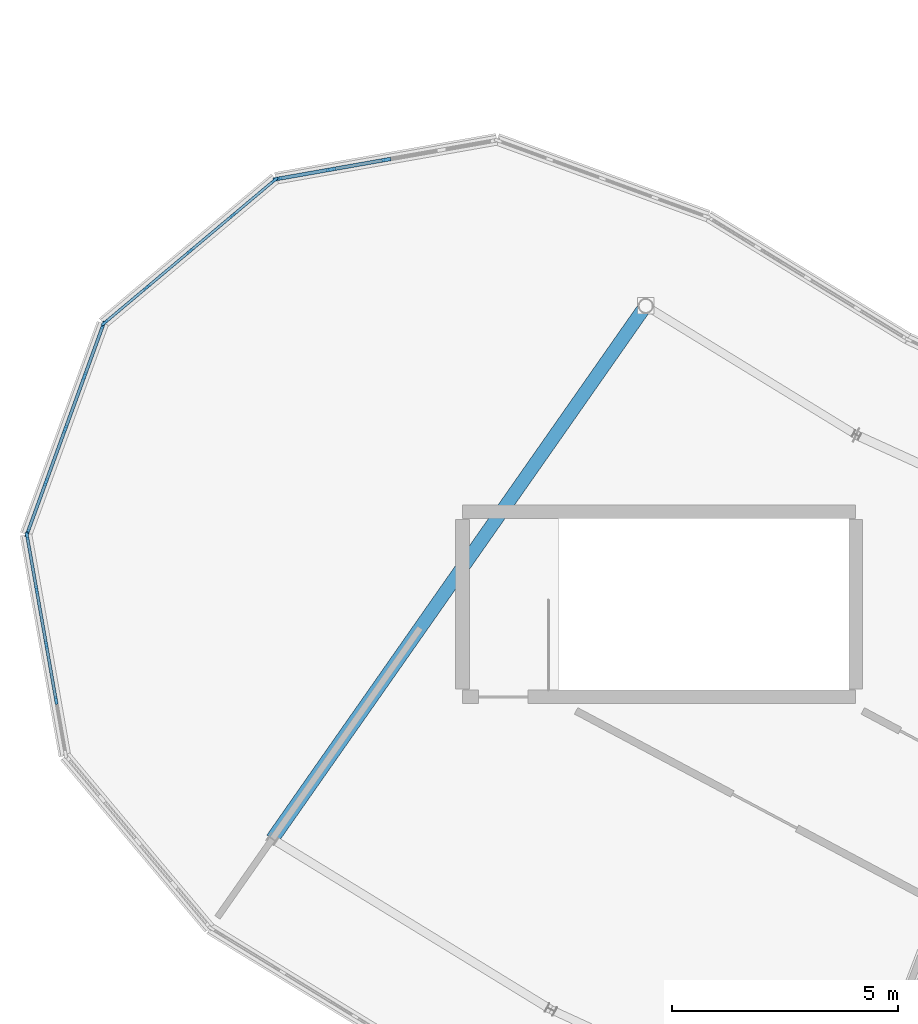
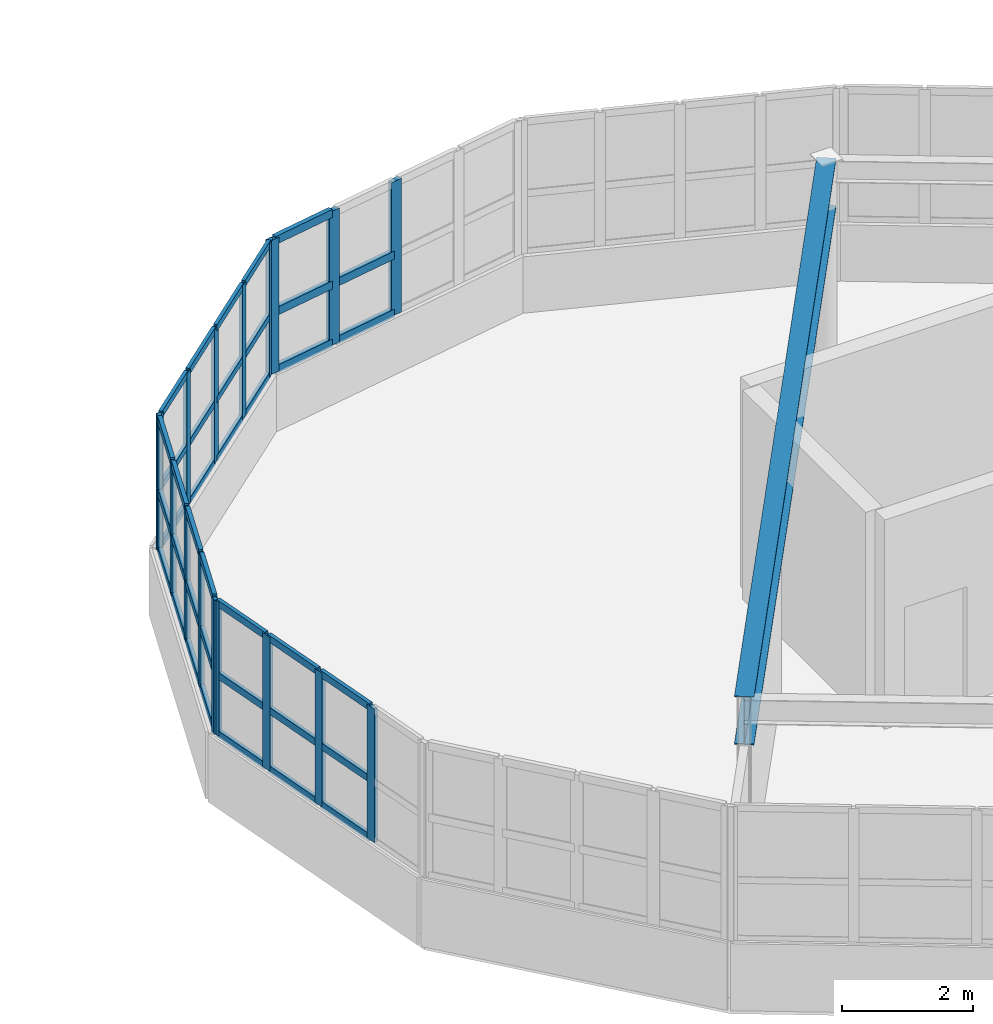
# One storey, part 16 of 60: 55 members, 1 beam, 4 elements without a shape of their own.
"""IFC4 building model written with IfcOpenShell, lengths in metres."""

from ifc_helpers import new_model, si_unit, direction, frame, origin, origin_2d, place, context, subcontext, project, spatial, rectangle, i_section, extrude, material, layer, layer_set, material_profile, profile_set, type_object, element, aggregate, save


model = new_model("IFC4")

# Units and contexts
model_context = context("Model", 3, precision=1e-05, world=origin(), true_north=direction((0.0, 1.0)))
body_context = subcontext(model_context, "Body", "Model", "MODEL_VIEW")
ifc_project = project(units=[si_unit("LENGTHUNIT", "METRE"), si_unit("AREAUNIT", "SQUARE_METRE"), si_unit("VOLUMEUNIT", "CUBIC_METRE"), si_unit("PLANEANGLEUNIT", "RADIAN"), si_unit("MASSUNIT", "GRAM", prefix="KILO")], contexts=[model_context])

# Site, building, storey
site_placement = place(None, origin())
site = spatial("IfcSite", under=ifc_project, at=site_placement, CompositionType="ELEMENT")
building_placement = place(site_placement, origin())
building = spatial("IfcBuilding", under=site, at=building_placement, Name="Tarnwether General Hospital", CompositionType="ELEMENT")
storey_placement = place(building_placement, frame((0.0, 0.0, 26.10009765625)))
storey = spatial("IfcBuildingStorey", under=building, at=storey_placement, Name="L06", CompositionType="ELEMENT", Elevation=26.10009765625)

# Beam
ifc_material_1 = material(Name="Steel Grade 350 (350 MPa)", Category="steel")
ifc_material_profile_1 = material_profile(ifc_material_1, i_section(OverallWidth=0.300048828125, OverallDepth=0.89990234375, WebThickness=0.011962890625, FlangeThickness=0.02001953125, at=origin_2d()), Name="900WB175")
ifc_profile_set_1 = profile_set([ifc_material_profile_1], Name="Steel Grade 350 (350 MPa)")
beam_type = type_object("IfcBeamType", Name="BM-G01", PredefinedType="BEAM", material=ifc_profile_set_1)
beam_placement = place(storey_placement, frame((58.0439453125, 14.506103515625, 3.449951171875), z_axis=(0.573596601347, 0.819137924237, 0.0), x_axis=(-0.819137924237, 0.573596601347, 0.0)))
element("IfcBeam", 1, at=beam_placement, inside=storey, type_object=beam_type, Name="Curved Ward SE Radial Girder BMG-L06-5804_1451-6630_2630-2192", PredefinedType="BEAM", context=body_context, shape_type="SweptSolid", body=[
    extrude(i_section(OverallWidth=0.300048828125, OverallDepth=0.89990234375, WebThickness=0.011962890625, FlangeThickness=0.02001953125, at=origin_2d()), origin(), (0.0, 0.0, 1.0), 14.400390625),
])

# Curtain wall, members
ifc_material_2 = material(Name="Anodised aluminium", Category="aluminium")
ifc_layer = layer(ifc_material_2, 0.159912109375)
ifc_layer_set = layer_set([ifc_layer], Name="Anodised aluminium")
curtain_wall_type = type_object("IfcCurtainWallType", Name="CW-03", PredefinedType="NOTDEFINED", material=ifc_layer_set)
curtain_wall_1_placement = place(storey_placement, origin())
curtain_wall_1 = element("IfcCurtainWall", 2, at=curtain_wall_1_placement, inside=storey, type_object=curtain_wall_type, Name="Curtain Wall CWG-L06-543_259-0269", PredefinedType="NOTDEFINED")
ifc_material_3 = material(Name="Anodised aluminium", Category="aluminium")
ifc_material_profile_2 = material_profile(ifc_material_3, rectangle(XDim=0.06005859375, YDim=0.159912109375, at=origin_2d()), Name="ALU-MUL-60x160")
ifc_profile_set_2 = profile_set([ifc_material_profile_2], Name="Anodised aluminium")
member_type_1 = type_object("IfcMemberType", Name="CW-ML1", PredefinedType="MULLION", material=ifc_profile_set_2)
member_1_placement = place(storey_placement, frame((54.3330078125, 25.92919921875, 1.0498046875), z_axis=(0.0, 0.0, 1.0), x_axis=(-0.64285227611, 0.765990176896, 0.0)))
member_1 = element("IfcMember", 3, at=member_1_placement, type_object=member_type_1, Name="CW-03 mullion 1", PredefinedType="MULLION", context=body_context, shape_type="SweptSolid", body=[
    extrude(rectangle(XDim=0.06005859375, YDim=0.159912109375, at=origin_2d()), origin(), (0.0, 0.0, 1.0), 2.4951171875),
])
member_2_placement = place(storey_placement, frame((55.26171875, 26.708740234375, 1.0498046875), z_axis=(0.0, 0.0, 1.0), x_axis=(-0.64285227611, 0.765990176896, 0.0)))
member_2 = element("IfcMember", 4, at=member_2_placement, type_object=member_type_1, Name="CW-03 mullion 2", PredefinedType="MULLION", context=body_context, shape_type="SweptSolid", body=[
    extrude(rectangle(XDim=0.06005859375, YDim=0.159912109375, at=origin_2d()), origin(), (0.0, 0.0, 1.0), 2.4951171875),
])
member_3_placement = place(storey_placement, frame((56.21337890625, 27.507568359375, 1.0498046875), z_axis=(0.0, 0.0, 1.0), x_axis=(-0.64285227611, 0.765990176896, 0.0)))
member_3 = element("IfcMember", 5, at=member_3_placement, type_object=member_type_1, Name="CW-03 mullion 3", PredefinedType="MULLION", context=body_context, shape_type="SweptSolid", body=[
    extrude(rectangle(XDim=0.06005859375, YDim=0.159912109375, at=origin_2d()), origin(), (0.0, 0.0, 1.0), 2.4951171875),
])
member_4_placement = place(storey_placement, frame((57.165283203125, 28.30615234375, 1.0498046875), z_axis=(0.0, 0.0, 1.0), x_axis=(-0.64285227611, 0.765990176896, 0.0)))
member_4 = element("IfcMember", 6, at=member_4_placement, type_object=member_type_1, Name="CW-03 mullion 4", PredefinedType="MULLION", context=body_context, shape_type="SweptSolid", body=[
    extrude(rectangle(XDim=0.06005859375, YDim=0.159912109375, at=origin_2d()), origin(), (0.0, 0.0, 1.0), 2.4951171875),
])
member_5_placement = place(storey_placement, frame((58.093994140625, 29.085693359375, 1.0498046875), z_axis=(0.0, 0.0, 1.0), x_axis=(-0.64285227611, 0.765990176896, 0.0)))
member_5 = element("IfcMember", 7, at=member_5_placement, type_object=member_type_1, Name="CW-03 mullion 5", PredefinedType="MULLION", context=body_context, shape_type="SweptSolid", body=[
    extrude(rectangle(XDim=0.06005859375, YDim=0.159912109375, at=origin_2d()), origin(), (0.0, 0.0, 1.0), 2.4951171875),
])

curtain_wall_2_placement = place(storey_placement, origin())
curtain_wall_2 = element("IfcCurtainWall", 8, at=curtain_wall_2_placement, inside=storey, type_object=curtain_wall_type, Name="Curtain Wall CWG-L06-526_212-0270", PredefinedType="NOTDEFINED")
ifc_material_4 = material(Name="Anodised aluminium", Category="aluminium")
ifc_material_profile_3 = material_profile(ifc_material_4, rectangle(XDim=0.070068359375, YDim=0.179931640625, at=origin_2d()), Name="ALU-MUL-70x180")
ifc_profile_set_3 = profile_set([ifc_material_profile_3], Name="Anodised aluminium")
member_type_2 = type_object("IfcMemberType", Name="CW-ML2", PredefinedType="MULLION", material=ifc_profile_set_3)
member_6_placement = place(storey_placement, frame((52.623046875, 21.27392578125, 1.0498046875), z_axis=(0.0, 0.0, 1.0), x_axis=(-0.939717006582, 0.341953136469, 0.0)))
member_6 = element("IfcMember", 9, at=member_6_placement, type_object=member_type_2, Name="CW-03 mullion 1", PredefinedType="MULLION", context=body_context, shape_type="SweptSolid", body=[
    extrude(rectangle(XDim=0.070068359375, YDim=0.179931640625, at=origin_2d()), origin(), (0.0, 0.0, 1.0), 2.4951171875),
])
member_7_placement = place(storey_placement, frame((53.03564453125, 22.408203125, 1.0498046875), z_axis=(0.0, 0.0, 1.0), x_axis=(-0.939717006582, 0.341953136469, 0.0)))
member_7 = element("IfcMember", 10, at=member_7_placement, type_object=member_type_2, Name="CW-03 mullion 2", PredefinedType="MULLION", context=body_context, shape_type="SweptSolid", body=[
    extrude(rectangle(XDim=0.070068359375, YDim=0.179931640625, at=origin_2d()), origin(), (0.0, 0.0, 1.0), 2.4951171875),
])
member_8_placement = place(storey_placement, frame((53.46044921875, 23.575439453125, 1.0498046875), z_axis=(0.0, 0.0, 1.0), x_axis=(-0.939717006582, 0.341953136469, 0.0)))
member_8 = element("IfcMember", 11, at=member_8_placement, type_object=member_type_2, Name="CW-03 mullion 3", PredefinedType="MULLION", context=body_context, shape_type="SweptSolid", body=[
    extrude(rectangle(XDim=0.070068359375, YDim=0.179931640625, at=origin_2d()), origin(), (0.0, 0.0, 1.0), 2.4951171875),
])
member_9_placement = place(storey_placement, frame((53.88525390625, 24.74267578125, 1.0498046875), z_axis=(0.0, 0.0, 1.0), x_axis=(-0.939717006582, 0.341953136469, 0.0)))
member_9 = element("IfcMember", 12, at=member_9_placement, type_object=member_type_2, Name="CW-03 mullion 4", PredefinedType="MULLION", context=body_context, shape_type="SweptSolid", body=[
    extrude(rectangle(XDim=0.070068359375, YDim=0.179931640625, at=origin_2d()), origin(), (0.0, 0.0, 1.0), 2.4951171875),
])
member_10_placement = place(storey_placement, frame((54.298095703125, 25.877197265625, 1.0498046875), z_axis=(0.0, 0.0, 1.0), x_axis=(-0.939717006582, 0.341953136469, 0.0)))
member_10 = element("IfcMember", 13, at=member_10_placement, type_object=member_type_2, Name="CW-03 mullion 5", PredefinedType="MULLION", context=body_context, shape_type="SweptSolid", body=[
    extrude(rectangle(XDim=0.070068359375, YDim=0.179931640625, at=origin_2d()), origin(), (0.0, 0.0, 1.0), 2.4951171875),
])

curtain_wall_3_placement = place(storey_placement, origin())
curtain_wall_3 = element("IfcCurtainWall", 14, at=curtain_wall_3_placement, inside=storey, type_object=curtain_wall_type, Name="Curtain Wall CWG-L06-535_163-0271", PredefinedType="NOTDEFINED")
ifc_material_5 = material(Name="Anodised aluminium", Category="aluminium")
ifc_material_profile_4 = material_profile(ifc_material_5, rectangle(XDim=0.06494140625, YDim=0.169921875, at=origin_2d()), Name="ALU-MUL-65x170")
ifc_profile_set_4 = profile_set([ifc_material_profile_4], Name="Anodised aluminium")
member_type_3 = type_object("IfcMemberType", Name="CW-ML3", PredefinedType="MULLION", material=ifc_profile_set_4)
member_11_placement = place(storey_placement, frame((53.257568359375, 17.570556640625, 1.0498046875), z_axis=(0.0, 0.0, 1.0), x_axis=(-0.984840230098, -0.173463890135, 0.0)))
member_11 = element("IfcMember", 15, at=member_11_placement, type_object=member_type_3, Name="CW-03 mullion 2", PredefinedType="MULLION", context=body_context, shape_type="SweptSolid", body=[
    extrude(rectangle(XDim=0.06494140625, YDim=0.169921875, at=origin_2d()), origin(), (0.0, 0.0, 1.0), 2.4951171875),
])
member_12_placement = place(storey_placement, frame((53.0419921875, 18.7939453125, 1.0498046875), z_axis=(0.0, 0.0, 1.0), x_axis=(-0.984840230098, -0.173463890135, 0.0)))
member_12 = element("IfcMember", 16, at=member_12_placement, type_object=member_type_3, Name="CW-03 mullion 3", PredefinedType="MULLION", context=body_context, shape_type="SweptSolid", body=[
    extrude(rectangle(XDim=0.06494140625, YDim=0.169921875, at=origin_2d()), origin(), (0.0, 0.0, 1.0), 2.4951171875),
])
member_13_placement = place(storey_placement, frame((52.826416015625, 20.017578125, 1.0498046875), z_axis=(0.0, 0.0, 1.0), x_axis=(-0.984840230098, -0.173463890135, 0.0)))
member_13 = element("IfcMember", 17, at=member_13_placement, type_object=member_type_3, Name="CW-03 mullion 4", PredefinedType="MULLION", context=body_context, shape_type="SweptSolid", body=[
    extrude(rectangle(XDim=0.06494140625, YDim=0.169921875, at=origin_2d()), origin(), (0.0, 0.0, 1.0), 2.4951171875),
])
member_14_placement = place(storey_placement, frame((52.61669921875, 21.208984375, 1.0498046875), z_axis=(0.0, 0.0, 1.0), x_axis=(-0.984840230098, -0.173463890135, 0.0)))
member_14 = element("IfcMember", 18, at=member_14_placement, type_object=member_type_3, Name="CW-03 mullion 5", PredefinedType="MULLION", context=body_context, shape_type="SweptSolid", body=[
    extrude(rectangle(XDim=0.06494140625, YDim=0.169921875, at=origin_2d()), origin(), (0.0, 0.0, 1.0), 2.4951171875),
])

curtain_wall_4_placement = place(storey_placement, origin())
curtain_wall_4 = element("IfcCurtainWall", 19, at=curtain_wall_4_placement, inside=storey, type_object=curtain_wall_type, Name="Curtain Wall CWG-L06-581_291-0268", PredefinedType="NOTDEFINED")
ifc_material_6 = material(Name="Anodised aluminium", Category="aluminium")
ifc_material_profile_5 = material_profile(ifc_material_6, rectangle(XDim=0.080078125, YDim=0.199951171875, at=origin_2d()), Name="ALU-MUL-80x200")
ifc_profile_set_5 = profile_set([ifc_material_profile_5], Name="Anodised aluminium")
member_type_4 = type_object("IfcMemberType", Name="CW-ML4", PredefinedType="MULLION", material=ifc_profile_set_5)
member_15_placement = place(storey_placement, frame((58.156494140625, 29.112060546875, 1.0498046875), z_axis=(0.0, 0.0, 1.0), x_axis=(-0.173659059054, 0.984805834268, 0.0)))
member_15 = element("IfcMember", 20, at=member_15_placement, type_object=member_type_4, Name="CW-03 mullion 1", PredefinedType="MULLION", context=body_context, shape_type="SweptSolid", body=[
    extrude(rectangle(XDim=0.080078125, YDim=0.199951171875, at=origin_2d()), origin(), (0.0, 0.0, 1.0), 2.4951171875),
])
member_16_placement = place(storey_placement, frame((59.340576171875, 29.32080078125, 1.0498046875), z_axis=(0.0, 0.0, 1.0), x_axis=(-0.173659059054, 0.984805834268, 0.0)))
member_16 = element("IfcMember", 21, at=member_16_placement, type_object=member_type_4, Name="CW-03 mullion 2", PredefinedType="MULLION", context=body_context, shape_type="SweptSolid", body=[
    extrude(rectangle(XDim=0.080078125, YDim=0.199951171875, at=origin_2d()), origin(), (0.0, 0.0, 1.0), 2.4951171875),
])
member_17_placement = place(storey_placement, frame((60.56396484375, 29.53662109375, 1.0498046875), z_axis=(0.0, 0.0, 1.0), x_axis=(-0.173659059054, 0.984805834268, 0.0)))
member_17 = element("IfcMember", 22, at=member_17_placement, type_object=member_type_4, Name="CW-03 mullion 3", PredefinedType="MULLION", context=body_context, shape_type="SweptSolid", body=[
    extrude(rectangle(XDim=0.080078125, YDim=0.199951171875, at=origin_2d()), origin(), (0.0, 0.0, 1.0), 2.4951171875),
])

# Member
ifc_material_7 = material(Name="Anodised aluminium", Category="aluminium")
ifc_material_profile_6 = material_profile(ifc_material_7, rectangle(XDim=0.06005859375, YDim=0.1201171875, at=origin_2d()), Name="ALU-TRN-60x120")
ifc_profile_set_6 = profile_set([ifc_material_profile_6], Name="Anodised aluminium")
member_type_5 = type_object("IfcMemberType", Name="CW-TR1", PredefinedType="USERDEFINED", material=ifc_profile_set_6)
member_18_placement = place(storey_placement, frame((54.35595703125, 25.948486328125, 1.079833984375), z_axis=(0.765959352555, 0.642889003043, 0.0), x_axis=(-0.642889003043, 0.765959352555, 0.0)))
member_18 = element("IfcMember", 23, at=member_18_placement, type_object=member_type_5, Name="CW-03 transom 1.1", ObjectType="TRANSOM", PredefinedType="USERDEFINED", context=body_context, shape_type="SweptSolid", body=[
    extrude(rectangle(XDim=0.06005859375, YDim=0.1201171875, at=origin_2d()), origin(), (0.0, 0.0, 1.0), 1.152587890625),
])

member_19_placement = place(storey_placement, frame((54.35595703125, 25.948486328125, 2.172607421875), z_axis=(0.765959352555, 0.642889003043, 0.0), x_axis=(-0.642889003043, 0.765959352555, 0.0)))
member_19 = element("IfcMember", 24, at=member_19_placement, type_object=member_type_5, Name="CW-03 transom 1.2", ObjectType="TRANSOM", PredefinedType="USERDEFINED", context=body_context, shape_type="SweptSolid", body=[
    extrude(rectangle(XDim=0.06005859375, YDim=0.1201171875, at=origin_2d()), origin(), (0.0, 0.0, 1.0), 1.152587890625),
])

member_20_placement = place(storey_placement, frame((54.35595703125, 25.948486328125, 3.514892578125), z_axis=(0.765959352555, 0.642889003043, 0.0), x_axis=(-0.642889003043, 0.765959352555, 0.0)))
member_20 = element("IfcMember", 25, at=member_20_placement, type_object=member_type_5, Name="CW-03 transom 1.3", ObjectType="TRANSOM", PredefinedType="USERDEFINED", context=body_context, shape_type="SweptSolid", body=[
    extrude(rectangle(XDim=0.06005859375, YDim=0.1201171875, at=origin_2d()), origin(), (0.0, 0.0, 1.0), 1.152587890625),
])

member_21_placement = place(storey_placement, frame((55.28466796875, 26.72802734375, 1.079833984375), z_axis=(0.765948837417, 0.642901530921, 0.0), x_axis=(-0.642901530921, 0.765948837417, 0.0)))
member_21 = element("IfcMember", 26, at=member_21_placement, type_object=member_type_5, Name="CW-03 transom 2.1", ObjectType="TRANSOM", PredefinedType="USERDEFINED", context=body_context, shape_type="SweptSolid", body=[
    extrude(rectangle(XDim=0.06005859375, YDim=0.1201171875, at=origin_2d()), origin(), (0.0, 0.0, 1.0), 1.1826171875),
])

member_22_placement = place(storey_placement, frame((55.28466796875, 26.72802734375, 2.172607421875), z_axis=(0.765948837417, 0.642901530921, 0.0), x_axis=(-0.642901530921, 0.765948837417, 0.0)))
member_22 = element("IfcMember", 27, at=member_22_placement, type_object=member_type_5, Name="CW-03 transom 2.2", ObjectType="TRANSOM", PredefinedType="USERDEFINED", context=body_context, shape_type="SweptSolid", body=[
    extrude(rectangle(XDim=0.06005859375, YDim=0.1201171875, at=origin_2d()), origin(), (0.0, 0.0, 1.0), 1.1826171875),
])

member_23_placement = place(storey_placement, frame((55.28466796875, 26.72802734375, 3.514892578125), z_axis=(0.765948837417, 0.642901530921, 0.0), x_axis=(-0.642901530921, 0.765948837417, 0.0)))
member_23 = element("IfcMember", 28, at=member_23_placement, type_object=member_type_5, Name="CW-03 transom 2.3", ObjectType="TRANSOM", PredefinedType="USERDEFINED", context=body_context, shape_type="SweptSolid", body=[
    extrude(rectangle(XDim=0.06005859375, YDim=0.1201171875, at=origin_2d()), origin(), (0.0, 0.0, 1.0), 1.1826171875),
])

member_24_placement = place(storey_placement, frame((56.236572265625, 27.52685546875, 1.079833984375), z_axis=(0.766050506006, 0.64278038415, 0.0), x_axis=(-0.64278038415, 0.766050506006, 0.0)))
member_24 = element("IfcMember", 29, at=member_24_placement, type_object=member_type_5, Name="CW-03 transom 3.1", ObjectType="TRANSOM", PredefinedType="USERDEFINED", context=body_context, shape_type="SweptSolid", body=[
    extrude(rectangle(XDim=0.06005859375, YDim=0.1201171875, at=origin_2d()), origin(), (0.0, 0.0, 1.0), 1.182373046875),
])

member_25_placement = place(storey_placement, frame((56.236572265625, 27.52685546875, 2.172607421875), z_axis=(0.766050506006, 0.64278038415, 0.0), x_axis=(-0.64278038415, 0.766050506006, 0.0)))
member_25 = element("IfcMember", 30, at=member_25_placement, type_object=member_type_5, Name="CW-03 transom 3.2", ObjectType="TRANSOM", PredefinedType="USERDEFINED", context=body_context, shape_type="SweptSolid", body=[
    extrude(rectangle(XDim=0.06005859375, YDim=0.1201171875, at=origin_2d()), origin(), (0.0, 0.0, 1.0), 1.182373046875),
])

member_26_placement = place(storey_placement, frame((56.236572265625, 27.52685546875, 3.514892578125), z_axis=(0.766050506006, 0.64278038415, 0.0), x_axis=(-0.64278038415, 0.766050506006, 0.0)))
member_26 = element("IfcMember", 31, at=member_26_placement, type_object=member_type_5, Name="CW-03 transom 3.3", ObjectType="TRANSOM", PredefinedType="USERDEFINED", context=body_context, shape_type="SweptSolid", body=[
    extrude(rectangle(XDim=0.06005859375, YDim=0.1201171875, at=origin_2d()), origin(), (0.0, 0.0, 1.0), 1.182373046875),
])

member_27_placement = place(storey_placement, frame((57.188232421875, 28.325439453125, 1.079833984375), z_axis=(0.765959352555, 0.642889003043, 0.0), x_axis=(-0.642889003043, 0.765959352555, 0.0)))
member_27 = element("IfcMember", 32, at=member_27_placement, type_object=member_type_5, Name="CW-03 transom 4.1", ObjectType="TRANSOM", PredefinedType="USERDEFINED", context=body_context, shape_type="SweptSolid", body=[
    extrude(rectangle(XDim=0.06005859375, YDim=0.1201171875, at=origin_2d()), origin(), (0.0, 0.0, 1.0), 1.152587890625),
])

member_28_placement = place(storey_placement, frame((57.188232421875, 28.325439453125, 2.172607421875), z_axis=(0.765959352555, 0.642889003043, 0.0), x_axis=(-0.642889003043, 0.765959352555, 0.0)))
member_28 = element("IfcMember", 33, at=member_28_placement, type_object=member_type_5, Name="CW-03 transom 4.2", ObjectType="TRANSOM", PredefinedType="USERDEFINED", context=body_context, shape_type="SweptSolid", body=[
    extrude(rectangle(XDim=0.06005859375, YDim=0.1201171875, at=origin_2d()), origin(), (0.0, 0.0, 1.0), 1.152587890625),
])

member_29_placement = place(storey_placement, frame((57.188232421875, 28.325439453125, 3.514892578125), z_axis=(0.765959352555, 0.642889003043, 0.0), x_axis=(-0.642889003043, 0.765959352555, 0.0)))
member_29 = element("IfcMember", 34, at=member_29_placement, type_object=member_type_5, Name="CW-03 transom 4.3", ObjectType="TRANSOM", PredefinedType="USERDEFINED", context=body_context, shape_type="SweptSolid", body=[
    extrude(rectangle(XDim=0.06005859375, YDim=0.1201171875, at=origin_2d()), origin(), (0.0, 0.0, 1.0), 1.152587890625),
])

aggregate(curtain_wall_1, [member_1, member_2, member_3, member_4, member_5, member_18, member_19, member_20, member_21, member_22, member_23, member_24, member_25, member_26, member_27, member_28, member_29])

ifc_material_8 = material(Name="Anodised aluminium", Category="aluminium")
ifc_material_profile_7 = material_profile(ifc_material_8, rectangle(XDim=0.070068359375, YDim=0.139892578125, at=origin_2d()), Name="ALU-TRN-70x140")
ifc_profile_set_7 = profile_set([ifc_material_profile_7], Name="Anodised aluminium")
member_type_6 = type_object("IfcMemberType", Name="CW-TR2", PredefinedType="USERDEFINED", material=ifc_profile_set_7)
member_30_placement = place(storey_placement, frame((52.635009765625, 21.306884765625, 1.0849609375), z_axis=(0.341881000608, 0.939743252928, 0.0), x_axis=(-0.939743252928, 0.341881000608, 0.0)))
member_30 = element("IfcMember", 35, at=member_30_placement, type_object=member_type_6, Name="CW-03 transom 1.1", ObjectType="TRANSOM", PredefinedType="USERDEFINED", context=body_context, shape_type="SweptSolid", body=[
    extrude(rectangle(XDim=0.070068359375, YDim=0.139892578125, at=origin_2d()), origin(), (0.0, 0.0, 1.0), 1.136962890625),
])

member_31_placement = place(storey_placement, frame((52.635009765625, 21.306884765625, 2.172607421875), z_axis=(0.341881000608, 0.939743252928, 0.0), x_axis=(-0.939743252928, 0.341881000608, 0.0)))
member_31 = element("IfcMember", 36, at=member_31_placement, type_object=member_type_6, Name="CW-03 transom 1.2", ObjectType="TRANSOM", PredefinedType="USERDEFINED", context=body_context, shape_type="SweptSolid", body=[
    extrude(rectangle(XDim=0.070068359375, YDim=0.139892578125, at=origin_2d()), origin(), (0.0, 0.0, 1.0), 1.136962890625),
])

member_32_placement = place(storey_placement, frame((52.635009765625, 21.306884765625, 3.510009765625), z_axis=(0.341881000608, 0.939743252928, 0.0), x_axis=(-0.939743252928, 0.341881000608, 0.0)))
member_32 = element("IfcMember", 37, at=member_32_placement, type_object=member_type_6, Name="CW-03 transom 1.3", ObjectType="TRANSOM", PredefinedType="USERDEFINED", context=body_context, shape_type="SweptSolid", body=[
    extrude(rectangle(XDim=0.070068359375, YDim=0.139892578125, at=origin_2d()), origin(), (0.0, 0.0, 1.0), 1.136962890625),
])

member_33_placement = place(storey_placement, frame((53.047607421875, 22.441162109375, 1.0849609375), z_axis=(0.341977164717, 0.939708262607, 0.0), x_axis=(-0.939708262607, 0.341977164717, 0.0)))
member_33 = element("IfcMember", 38, at=member_33_placement, type_object=member_type_6, Name="CW-03 transom 2.1", ObjectType="TRANSOM", PredefinedType="USERDEFINED", context=body_context, shape_type="SweptSolid", body=[
    extrude(rectangle(XDim=0.070068359375, YDim=0.139892578125, at=origin_2d()), origin(), (0.0, 0.0, 1.0), 1.172119140625),
])

member_34_placement = place(storey_placement, frame((53.047607421875, 22.441162109375, 2.172607421875), z_axis=(0.341977164717, 0.939708262607, 0.0), x_axis=(-0.939708262607, 0.341977164717, 0.0)))
member_34 = element("IfcMember", 39, at=member_34_placement, type_object=member_type_6, Name="CW-03 transom 2.2", ObjectType="TRANSOM", PredefinedType="USERDEFINED", context=body_context, shape_type="SweptSolid", body=[
    extrude(rectangle(XDim=0.070068359375, YDim=0.139892578125, at=origin_2d()), origin(), (0.0, 0.0, 1.0), 1.172119140625),
])

member_35_placement = place(storey_placement, frame((53.047607421875, 22.441162109375, 3.510009765625), z_axis=(0.341977164717, 0.939708262607, 0.0), x_axis=(-0.939708262607, 0.341977164717, 0.0)))
member_35 = element("IfcMember", 40, at=member_35_placement, type_object=member_type_6, Name="CW-03 transom 2.3", ObjectType="TRANSOM", PredefinedType="USERDEFINED", context=body_context, shape_type="SweptSolid", body=[
    extrude(rectangle(XDim=0.070068359375, YDim=0.139892578125, at=origin_2d()), origin(), (0.0, 0.0, 1.0), 1.172119140625),
])

member_36_placement = place(storey_placement, frame((53.472412109375, 23.6083984375, 1.0849609375), z_axis=(0.341977164717, 0.939708262607, 0.0), x_axis=(-0.939708262607, 0.341977164717, 0.0)))
member_36 = element("IfcMember", 41, at=member_36_placement, type_object=member_type_6, Name="CW-03 transom 3.1", ObjectType="TRANSOM", PredefinedType="USERDEFINED", context=body_context, shape_type="SweptSolid", body=[
    extrude(rectangle(XDim=0.070068359375, YDim=0.139892578125, at=origin_2d()), origin(), (0.0, 0.0, 1.0), 1.172119140625),
])

member_37_placement = place(storey_placement, frame((53.472412109375, 23.6083984375, 2.172607421875), z_axis=(0.341977164717, 0.939708262607, 0.0), x_axis=(-0.939708262607, 0.341977164717, 0.0)))
member_37 = element("IfcMember", 42, at=member_37_placement, type_object=member_type_6, Name="CW-03 transom 3.2", ObjectType="TRANSOM", PredefinedType="USERDEFINED", context=body_context, shape_type="SweptSolid", body=[
    extrude(rectangle(XDim=0.070068359375, YDim=0.139892578125, at=origin_2d()), origin(), (0.0, 0.0, 1.0), 1.172119140625),
])

member_38_placement = place(storey_placement, frame((53.472412109375, 23.6083984375, 3.510009765625), z_axis=(0.341977164717, 0.939708262607, 0.0), x_axis=(-0.939708262607, 0.341977164717, 0.0)))
member_38 = element("IfcMember", 43, at=member_38_placement, type_object=member_type_6, Name="CW-03 transom 3.3", ObjectType="TRANSOM", PredefinedType="USERDEFINED", context=body_context, shape_type="SweptSolid", body=[
    extrude(rectangle(XDim=0.070068359375, YDim=0.139892578125, at=origin_2d()), origin(), (0.0, 0.0, 1.0), 1.172119140625),
])

member_39_placement = place(storey_placement, frame((53.897216796875, 24.775634765625, 1.0849609375), z_axis=(0.342001618739, 0.939699362977, 0.0), x_axis=(-0.939699362977, 0.342001618739, 0.0)))
member_39 = element("IfcMember", 44, at=member_39_placement, type_object=member_type_6, Name="CW-03 transom 4.1", ObjectType="TRANSOM", PredefinedType="USERDEFINED", context=body_context, shape_type="SweptSolid", body=[
    extrude(rectangle(XDim=0.070068359375, YDim=0.139892578125, at=origin_2d()), origin(), (0.0, 0.0, 1.0), 1.13720703125),
])

member_40_placement = place(storey_placement, frame((53.897216796875, 24.775634765625, 2.172607421875), z_axis=(0.342001618739, 0.939699362977, 0.0), x_axis=(-0.939699362977, 0.342001618739, 0.0)))
member_40 = element("IfcMember", 45, at=member_40_placement, type_object=member_type_6, Name="CW-03 transom 4.2", ObjectType="TRANSOM", PredefinedType="USERDEFINED", context=body_context, shape_type="SweptSolid", body=[
    extrude(rectangle(XDim=0.070068359375, YDim=0.139892578125, at=origin_2d()), origin(), (0.0, 0.0, 1.0), 1.13720703125),
])

member_41_placement = place(storey_placement, frame((53.897216796875, 24.775634765625, 3.510009765625), z_axis=(0.342001618739, 0.939699362977, 0.0), x_axis=(-0.939699362977, 0.342001618739, 0.0)))
member_41 = element("IfcMember", 46, at=member_41_placement, type_object=member_type_6, Name="CW-03 transom 4.3", ObjectType="TRANSOM", PredefinedType="USERDEFINED", context=body_context, shape_type="SweptSolid", body=[
    extrude(rectangle(XDim=0.070068359375, YDim=0.139892578125, at=origin_2d()), origin(), (0.0, 0.0, 1.0), 1.13720703125),
])

aggregate(curtain_wall_2, [member_6, member_7, member_8, member_9, member_10, member_30, member_31, member_32, member_33, member_34, member_35, member_36, member_37, member_38, member_39, member_40, member_41])

ifc_material_9 = material(Name="Anodised aluminium", Category="aluminium")
ifc_material_profile_8 = material_profile(ifc_material_9, rectangle(XDim=0.06494140625, YDim=0.1298828125, at=origin_2d()), Name="ALU-TRN-65x130")
ifc_profile_set_8 = profile_set([ifc_material_profile_8], Name="Anodised aluminium")
member_type_7 = type_object("IfcMemberType", Name="CW-TR3", PredefinedType="USERDEFINED", material=ifc_profile_set_8)
member_42_placement = place(storey_placement, frame((53.251953125, 17.6025390625, 1.08251953125), z_axis=(-0.173572388329, 0.98482111371, 0.0), x_axis=(-0.98482111371, -0.173572388329, 0.0)))
member_42 = element("IfcMember", 47, at=member_42_placement, type_object=member_type_7, Name="CW-03 transom 2.1", ObjectType="TRANSOM", PredefinedType="USERDEFINED", context=body_context, shape_type="SweptSolid", body=[
    extrude(rectangle(XDim=0.06494140625, YDim=0.1298828125, at=origin_2d()), origin(), (0.0, 0.0, 1.0), 1.17724609375),
])

member_43_placement = place(storey_placement, frame((53.251953125, 17.6025390625, 2.172607421875), z_axis=(-0.173572388329, 0.98482111371, 0.0), x_axis=(-0.98482111371, -0.173572388329, 0.0)))
member_43 = element("IfcMember", 48, at=member_43_placement, type_object=member_type_7, Name="CW-03 transom 2.2", ObjectType="TRANSOM", PredefinedType="USERDEFINED", context=body_context, shape_type="SweptSolid", body=[
    extrude(rectangle(XDim=0.06494140625, YDim=0.1298828125, at=origin_2d()), origin(), (0.0, 0.0, 1.0), 1.17724609375),
])

member_44_placement = place(storey_placement, frame((53.251953125, 17.6025390625, 3.512451171875), z_axis=(-0.173572388329, 0.98482111371, 0.0), x_axis=(-0.98482111371, -0.173572388329, 0.0)))
member_44 = element("IfcMember", 49, at=member_44_placement, type_object=member_type_7, Name="CW-03 transom 2.3", ObjectType="TRANSOM", PredefinedType="USERDEFINED", context=body_context, shape_type="SweptSolid", body=[
    extrude(rectangle(XDim=0.06494140625, YDim=0.1298828125, at=origin_2d()), origin(), (0.0, 0.0, 1.0), 1.17724609375),
])

member_45_placement = place(storey_placement, frame((53.036376953125, 18.825927734375, 1.08251953125), z_axis=(-0.173536947338, 0.984827359444, 0.0), x_axis=(-0.984827359444, -0.173536947338, 0.0)))
member_45 = element("IfcMember", 50, at=member_45_placement, type_object=member_type_7, Name="CW-03 transom 3.1", ObjectType="TRANSOM", PredefinedType="USERDEFINED", context=body_context, shape_type="SweptSolid", body=[
    extrude(rectangle(XDim=0.06494140625, YDim=0.1298828125, at=origin_2d()), origin(), (0.0, 0.0, 1.0), 1.177490234375),
])

member_46_placement = place(storey_placement, frame((53.036376953125, 18.825927734375, 2.172607421875), z_axis=(-0.173536947338, 0.984827359444, 0.0), x_axis=(-0.984827359444, -0.173536947338, 0.0)))
member_46 = element("IfcMember", 51, at=member_46_placement, type_object=member_type_7, Name="CW-03 transom 3.2", ObjectType="TRANSOM", PredefinedType="USERDEFINED", context=body_context, shape_type="SweptSolid", body=[
    extrude(rectangle(XDim=0.06494140625, YDim=0.1298828125, at=origin_2d()), origin(), (0.0, 0.0, 1.0), 1.177490234375),
])

member_47_placement = place(storey_placement, frame((53.036376953125, 18.825927734375, 3.512451171875), z_axis=(-0.173536947338, 0.984827359444, 0.0), x_axis=(-0.984827359444, -0.173536947338, 0.0)))
member_47 = element("IfcMember", 52, at=member_47_placement, type_object=member_type_7, Name="CW-03 transom 3.3", ObjectType="TRANSOM", PredefinedType="USERDEFINED", context=body_context, shape_type="SweptSolid", body=[
    extrude(rectangle(XDim=0.06494140625, YDim=0.1298828125, at=origin_2d()), origin(), (0.0, 0.0, 1.0), 1.177490234375),
])

member_48_placement = place(storey_placement, frame((52.82080078125, 20.049560546875, 1.08251953125), z_axis=(-0.173383838773, 0.984854326513, 0.0), x_axis=(-0.984854326513, -0.173383838773, 0.0)))
member_48 = element("IfcMember", 53, at=member_48_placement, type_object=member_type_7, Name="CW-03 transom 4.1", ObjectType="TRANSOM", PredefinedType="USERDEFINED", context=body_context, shape_type="SweptSolid", body=[
    extrude(rectangle(XDim=0.06494140625, YDim=0.1298828125, at=origin_2d()), origin(), (0.0, 0.0, 1.0), 1.144775390625),
])

member_49_placement = place(storey_placement, frame((52.82080078125, 20.049560546875, 2.172607421875), z_axis=(-0.173383838773, 0.984854326513, 0.0), x_axis=(-0.984854326513, -0.173383838773, 0.0)))
member_49 = element("IfcMember", 54, at=member_49_placement, type_object=member_type_7, Name="CW-03 transom 4.2", ObjectType="TRANSOM", PredefinedType="USERDEFINED", context=body_context, shape_type="SweptSolid", body=[
    extrude(rectangle(XDim=0.06494140625, YDim=0.1298828125, at=origin_2d()), origin(), (0.0, 0.0, 1.0), 1.144775390625),
])

member_50_placement = place(storey_placement, frame((52.82080078125, 20.049560546875, 3.512451171875), z_axis=(-0.173383838773, 0.984854326513, 0.0), x_axis=(-0.984854326513, -0.173383838773, 0.0)))
member_50 = element("IfcMember", 55, at=member_50_placement, type_object=member_type_7, Name="CW-03 transom 4.3", ObjectType="TRANSOM", PredefinedType="USERDEFINED", context=body_context, shape_type="SweptSolid", body=[
    extrude(rectangle(XDim=0.06494140625, YDim=0.1298828125, at=origin_2d()), origin(), (0.0, 0.0, 1.0), 1.144775390625),
])

aggregate(curtain_wall_3, [member_11, member_12, member_13, member_14, member_42, member_43, member_44, member_45, member_46, member_47, member_48, member_49, member_50])

ifc_material_10 = material(Name="Anodised aluminium", Category="aluminium")
ifc_material_profile_9 = material_profile(ifc_material_10, rectangle(XDim=0.080078125, YDim=0.14990234375, at=origin_2d()), Name="ALU-TRN-80x150")
ifc_profile_set_9 = profile_set([ifc_material_profile_9], Name="Anodised aluminium")
member_type_8 = type_object("IfcMemberType", Name="CW-TR4", PredefinedType="USERDEFINED", material=ifc_profile_set_9)
member_51_placement = place(storey_placement, frame((58.19580078125, 29.118896484375, 1.08984375), z_axis=(0.984816391651, 0.173599178383, 0.0), x_axis=(-0.173599178383, 0.984816391651, 0.0)))
member_51 = element("IfcMember", 56, at=member_51_placement, type_object=member_type_8, Name="CW-03 transom 1.1", ObjectType="TRANSOM", PredefinedType="USERDEFINED", context=body_context, shape_type="SweptSolid", body=[
    extrude(rectangle(XDim=0.080078125, YDim=0.14990234375, at=origin_2d()), origin(), (0.0, 0.0, 1.0), 1.122314453125),
])

member_52_placement = place(storey_placement, frame((58.19580078125, 29.118896484375, 2.172607421875), z_axis=(0.984816391651, 0.173599178383, 0.0), x_axis=(-0.173599178383, 0.984816391651, 0.0)))
member_52 = element("IfcMember", 57, at=member_52_placement, type_object=member_type_8, Name="CW-03 transom 1.2", ObjectType="TRANSOM", PredefinedType="USERDEFINED", context=body_context, shape_type="SweptSolid", body=[
    extrude(rectangle(XDim=0.080078125, YDim=0.14990234375, at=origin_2d()), origin(), (0.0, 0.0, 1.0), 1.122314453125),
])

member_53_placement = place(storey_placement, frame((58.19580078125, 29.118896484375, 3.5048828125), z_axis=(0.984816391651, 0.173599178383, 0.0), x_axis=(-0.173599178383, 0.984816391651, 0.0)))
member_53 = element("IfcMember", 58, at=member_53_placement, type_object=member_type_8, Name="CW-03 transom 1.3", ObjectType="TRANSOM", PredefinedType="USERDEFINED", context=body_context, shape_type="SweptSolid", body=[
    extrude(rectangle(XDim=0.080078125, YDim=0.14990234375, at=origin_2d()), origin(), (0.0, 0.0, 1.0), 1.122314453125),
])

member_54_placement = place(storey_placement, frame((59.3798828125, 29.32763671875, 1.08984375), z_axis=(0.984800468802, 0.173689483408, 0.0), x_axis=(-0.173689483408, 0.984800468802, 0.0)))
member_54 = element("IfcMember", 59, at=member_54_placement, type_object=member_type_8, Name="CW-03 transom 2.1", ObjectType="TRANSOM", PredefinedType="USERDEFINED", context=body_context, shape_type="SweptSolid", body=[
    extrude(rectangle(XDim=0.080078125, YDim=0.14990234375, at=origin_2d()), origin(), (0.0, 0.0, 1.0), 1.162353515625),
])

member_55_placement = place(storey_placement, frame((59.3798828125, 29.32763671875, 2.172607421875), z_axis=(0.984800468802, 0.173689483408, 0.0), x_axis=(-0.173689483408, 0.984800468802, 0.0)))
member_55 = element("IfcMember", 60, at=member_55_placement, type_object=member_type_8, Name="CW-03 transom 2.2", ObjectType="TRANSOM", PredefinedType="USERDEFINED", context=body_context, shape_type="SweptSolid", body=[
    extrude(rectangle(XDim=0.080078125, YDim=0.14990234375, at=origin_2d()), origin(), (0.0, 0.0, 1.0), 1.162353515625),
])

aggregate(curtain_wall_4, [member_15, member_16, member_17, member_51, member_52, member_53, member_54, member_55])

save(model, "model.ifc")
